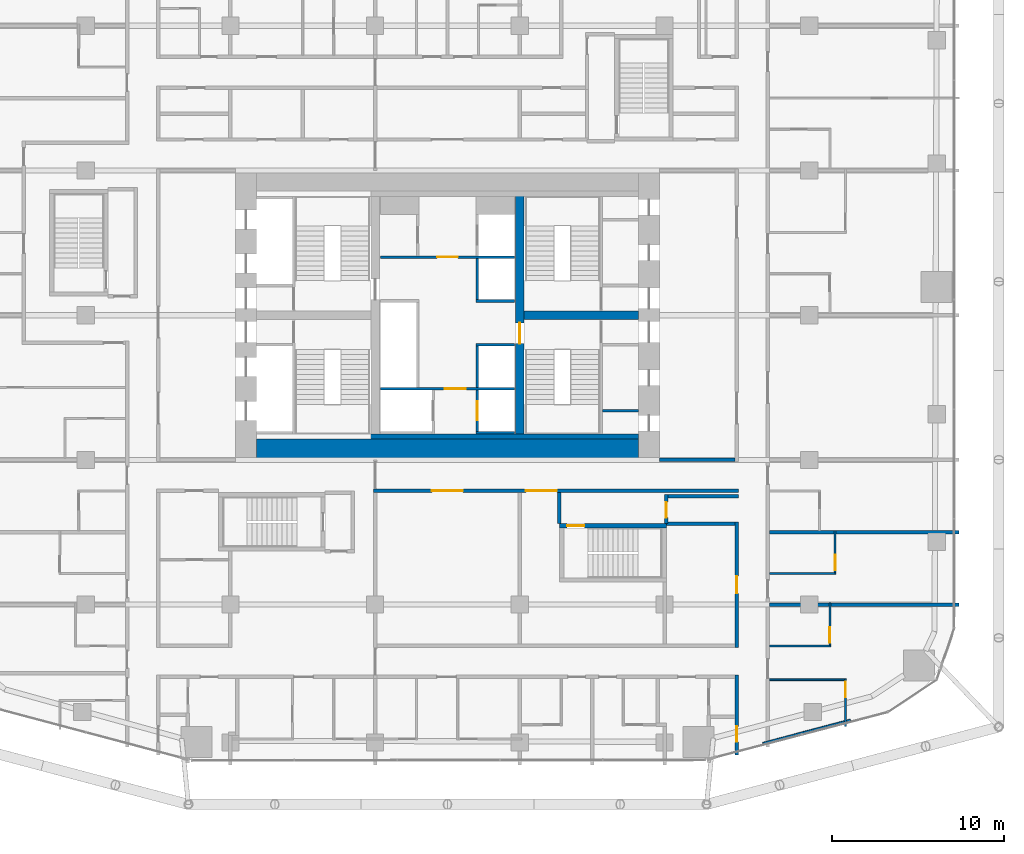
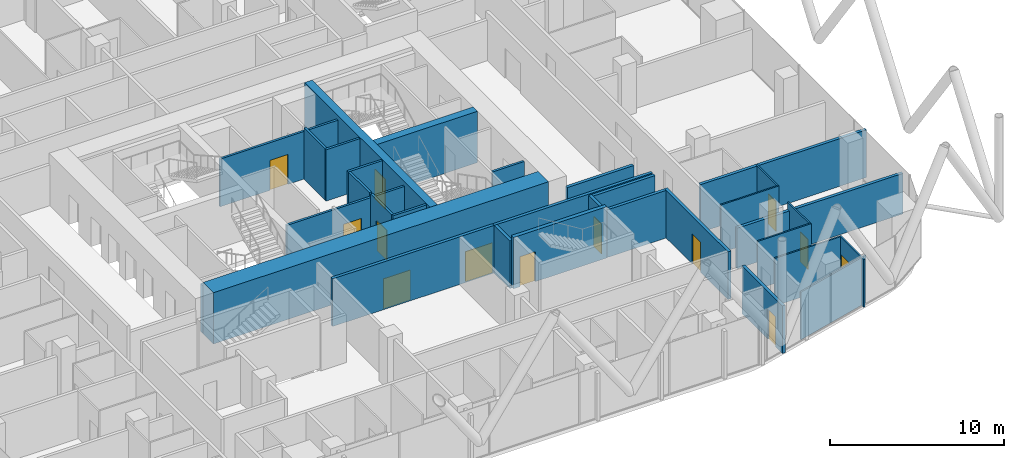
# One storey, part 27 of 34: 32 walls, 13 doors, 13 openings.
"""IFC4 building model written with IfcOpenShell, lengths in metres."""

from ifc_helpers import new_model, si_unit, direction, frame, frame_2d, origin, place, context, subcontext, project, spatial, rectangle, extrude, material, layer, layer_set, type_object, element, fill, save


model = new_model("IFC4")

# Units and contexts
model_context = context("Model", 3, precision=1e-05, world=origin(), true_north=direction((0.0, 1.0)))
body_context = subcontext(model_context, "Body", "Model", "MODEL_VIEW")
ifc_project = project(units=[si_unit("LENGTHUNIT", "METRE"), si_unit("AREAUNIT", "SQUARE_METRE"), si_unit("VOLUMEUNIT", "CUBIC_METRE"), si_unit("PLANEANGLEUNIT", "RADIAN"), si_unit("MASSUNIT", "GRAM", prefix="KILO")], contexts=[model_context])

# Site, building, storey
site_placement = place(None, origin())
site = spatial("IfcSite", under=ifc_project, at=site_placement, CompositionType="ELEMENT")
building_placement = place(site_placement, origin())
building = spatial("IfcBuilding", under=site, at=building_placement, Name="Marenta Gate Hotel Tower", CompositionType="ELEMENT")
storey_placement = place(building_placement, frame((0.0, 0.0, 76.10009765625)))
storey = spatial("IfcBuildingStorey", under=building, at=storey_placement, Name="L17", CompositionType="ELEMENT", Elevation=76.10009765625)

# Walls
ifc_material_1 = material(Name="Concrete blockwork", Category="masonry")
ifc_layer_1 = layer(ifc_material_1, 0.199951171875)
ifc_layer_set_1 = layer_set([ifc_layer_1], Name="Concrete blockwork")
wall_type_1 = type_object("IfcWallType", Name="Core boundary wall 200 REI 180", PredefinedType="PARTITIONING", material=ifc_layer_set_1)
wall_1_placement = place(storey_placement, frame((12.300048828125, 0.0, 0.0), z_axis=(0.0, 0.0, 1.0), x_axis=(1.0, 0.0, 0.0)))
element("IfcWall", 1, at=wall_1_placement, inside=storey, type_object=wall_type_1, Name="L17-CP-EW-ES", PredefinedType="PARTITIONING", context=body_context, shape_type="SweptSolid", body=[
    extrude(rectangle(XDim=4.39990234375, YDim=0.199951171875, at=frame_2d((2.199951171875, 0.0))), origin(), (0.0, 0.0, 1.0), 2.83984375),
])
ifc_material_2 = material(Name="Concrete C40", Category="concrete")
ifc_layer_2 = layer(ifc_material_2, 0.300048828125)
ifc_layer_set_2 = layer_set([ifc_layer_2], Name="Concrete C40")
wall_type_2 = type_object("IfcWallType", Name="Core lining wall 300 REI 180", PredefinedType="PARTITIONING", material=ifc_layer_set_2)
wall_2_placement = place(storey_placement, frame((-11.10009765625, 1.35009765625, 0.0), z_axis=(0.0, 0.0, 1.0), x_axis=(1.0, 0.0, 0.0)))
element("IfcWall", 2, at=wall_2_placement, inside=storey, type_object=wall_type_2, Name="L17-CP-LN-S", PredefinedType="PARTITIONING", context=body_context, shape_type="SweptSolid", body=[
    extrude(rectangle(XDim=22.2001953125, YDim=0.300048828125, at=frame_2d((11.10009765625, 0.0))), origin(), (0.0, 0.0, 1.0), 3.33984375),
])

# Wall, opening, door
ifc_material_3 = material(Name="Concrete blockwork", Category="masonry")
ifc_layer_3 = layer(ifc_material_3, 0.14990234375)
ifc_layer_set_3 = layer_set([ifc_layer_3], Name="Concrete blockwork")
wall_type_3 = type_object("IfcWallType", Name="Core lobby partition 150 REI 180", PredefinedType="PARTITIONING", material=ifc_layer_set_3)
wall_3_placement = place(storey_placement, frame((-3.89990234375, 4.125, 0.0), z_axis=(0.0, 0.0, 1.0), x_axis=(1.0, 0.0, 0.0)))
wall_3 = element("IfcWall", 3, at=wall_3_placement, inside=storey, type_object=wall_type_3, Name="L17-CP-CW-S", PredefinedType="PARTITIONING", context=body_context, shape_type="SweptSolid", body=[
    extrude(rectangle(XDim=7.7998046875, YDim=0.14990234375, at=frame_2d((3.89990234375, 0.0))), origin(), (0.0, 0.0, 1.0), 3.33984375),
])
opening_1_placement = place(wall_3_placement, frame((3.75, 0.0, 0.0)))
opening_1 = element("IfcOpeningElement", 4, at=opening_1_placement, cuts=wall_3, Name="Opening FD-FFS", PredefinedType="OPENING", context=body_context, shape_type="SweptSolid", body=[
    extrude(rectangle(XDim=1.199951171875, YDim=2.10009765625, at=frame_2d((0.60009765625, 1.050048828125))), frame((0.0, 0.074951171875, 0.0), z_axis=(0.0, -1.0, 0.0), x_axis=(1.0, 0.0, 0.0)), (0.0, 0.0, 1.0), 0.14990234375),
])
ifc_material_4 = material(Name="Steel", Category="steel")
door_type_1 = type_object("IfcDoorType", Name="Core lobby door 1200x2100 FD60", OperationType="SINGLE_SWING_LEFT", PredefinedType="DOOR", material=ifc_material_4)
door_1_placement = place(opening_1_placement, origin())
door_1 = element("IfcDoor", 5, at=door_1_placement, inside=storey, type_object=door_type_1, Name="FD-FFS", OperationType="SINGLE_SWING_LEFT", OverallHeight=2.10009765625, OverallWidth=1.199951171875, PredefinedType="DOOR", context=body_context, shape_type="SweptSolid", body=[
    extrude(rectangle(XDim=1.199951171875, YDim=2.10009765625, at=frame_2d((0.60009765625, 1.050048828125))), frame((0.0, 0.02490234375, 0.0), z_axis=(0.0, -1.0, 0.0), x_axis=(1.0, 0.0, 0.0)), (0.0, 0.0, 1.0), 0.050048828125),
])
fill(opening_1, door_1)

wall_4_placement = place(storey_placement, frame((-3.89990234375, 11.77490234375, 0.0), z_axis=(0.0, 0.0, 1.0), x_axis=(1.0, 0.0, 0.0)))
wall_4 = element("IfcWall", 6, at=wall_4_placement, inside=storey, type_object=wall_type_3, Name="L17-CP-CW-N", PredefinedType="PARTITIONING", context=body_context, shape_type="SweptSolid", body=[
    extrude(rectangle(XDim=7.7998046875, YDim=0.14990234375, at=frame_2d((3.89990234375, 0.0))), origin(), (0.0, 0.0, 1.0), 3.33984375),
])
opening_2_placement = place(wall_4_placement, frame((3.300048828125, 0.0, 0.0)))
opening_2 = element("IfcOpeningElement", 7, at=opening_2_placement, cuts=wall_4, Name="Opening FD-FFN", PredefinedType="OPENING", context=body_context, shape_type="SweptSolid", body=[
    extrude(rectangle(XDim=1.199951171875, YDim=2.10009765625, at=frame_2d((0.60009765625, 1.050048828125))), frame((0.0, 0.074951171875, 0.0), z_axis=(0.0, -1.0, 0.0), x_axis=(1.0, 0.0, 0.0)), (0.0, 0.0, 1.0), 0.14990234375),
])
door_2_placement = place(opening_2_placement, origin())
door_2 = element("IfcDoor", 8, at=door_2_placement, inside=storey, type_object=door_type_1, Name="FD-FFN", OperationType="SINGLE_SWING_LEFT", OverallHeight=2.10009765625, OverallWidth=1.199951171875, PredefinedType="DOOR", context=body_context, shape_type="SweptSolid", body=[
    extrude(rectangle(XDim=1.199951171875, YDim=2.10009765625, at=frame_2d((0.60009765625, 1.050048828125))), frame((0.0, 0.02490234375, 0.0), z_axis=(0.0, -1.0, 0.0), x_axis=(1.0, 0.0, 0.0)), (0.0, 0.0, 1.0), 0.050048828125),
])
fill(opening_2, door_2)

# Wall
ifc_material_5 = material(Name="Concrete blockwork", Category="masonry")
ifc_layer_4 = layer(ifc_material_5, 0.14990234375)
ifc_layer_set_4 = layer_set([ifc_layer_4], Name="Concrete blockwork")
wall_type_4 = type_object("IfcWallType", Name="Core room partition 150 REI 180", PredefinedType="PARTITIONING", material=ifc_layer_set_4)
wall_5_placement = place(storey_placement, frame((9.0, 2.85009765625, 0.0), z_axis=(0.0, 0.0, 1.0), x_axis=(1.0, 0.0, 0.0)))
element("IfcWall", 9, at=wall_5_placement, inside=storey, type_object=wall_type_4, Name="L17-CP-RW-ES-1", PredefinedType="PARTITIONING", context=body_context, shape_type="SweptSolid", body=[
    extrude(rectangle(XDim=2.10009765625, YDim=0.14990234375, at=frame_2d((1.050048828125, 0.0))), origin(), (0.0, 0.0, 1.0), 3.33984375),
])

# Wall, opening, door
ifc_material_6 = material(Name="Concrete C40", Category="concrete")
ifc_layer_5 = layer(ifc_material_6, 0.14990234375)
ifc_layer_set_5 = layer_set([ifc_layer_5], Name="Concrete C40")
wall_type_5 = type_object("IfcWallType", Name="Core shaft wall 150 REI 180", PredefinedType="SHEAR", material=ifc_layer_set_5)
wall_6_placement = place(storey_placement, frame((1.72509765625, 1.64990234375, 0.0), z_axis=(0.0, 0.0, 1.0), x_axis=(0.0, 1.0, 0.0)))
wall_6 = element("IfcWall", 10, at=wall_6_placement, inside=storey, type_object=wall_type_5, Name="L17-SHF-CE-S-ls", PredefinedType="SHEAR", context=body_context, shape_type="SweptSolid", body=[
    extrude(rectangle(XDim=2.400146484375, YDim=0.14990234375, at=frame_2d((1.2001953125, 0.0))), origin(), (0.0, 0.0, 1.0), 3.599853515625),
])
opening_3_placement = place(wall_6_placement, frame((0.64990234375, 0.0, 0.0)))
opening_3 = element("IfcOpeningElement", 11, at=opening_3_placement, cuts=wall_6, Name="Opening LD-SV1", PredefinedType="OPENING", context=body_context, shape_type="SweptSolid", body=[
    extrude(rectangle(XDim=1.10009765625, YDim=2.10009765625, at=frame_2d((0.550048828125, 1.050048828125))), frame((0.0, 0.074951171875, 0.0), z_axis=(0.0, -1.0, 0.0), x_axis=(1.0, 0.0, 0.0)), (0.0, 0.0, 1.0), 0.14990234375),
])
ifc_material_7 = material(Name="Steel", Category="steel")
door_type_2 = type_object("IfcDoorType", Name="Core lift landing door 1100x2100 E 60", OperationType="SLIDING_TO_LEFT", PredefinedType="DOOR", material=ifc_material_7)
door_3_placement = place(opening_3_placement, origin())
door_3 = element("IfcDoor", 12, at=door_3_placement, inside=storey, type_object=door_type_2, Name="LD-SV1", OperationType="SLIDING_TO_LEFT", OverallHeight=2.10009765625, OverallWidth=1.10009765625, PredefinedType="DOOR", context=body_context, shape_type="SweptSolid", body=[
    extrude(rectangle(XDim=1.10009765625, YDim=2.10009765625, at=frame_2d((0.550048828125, 1.050048828125))), frame((0.0, 0.02490234375, 0.0), z_axis=(0.0, -1.0, 0.0), x_axis=(1.0, 0.0, 0.0)), (0.0, 0.0, 1.0), 0.050048828125),
])
fill(opening_3, door_3)

# Walls
for number, where, z_axis, x_axis, name in (
    (13, (1.64990234375, 1.574951171875, 0.0), (0.0, 0.0, 1.0), (1.0, 0.0, 0.0), "L17-SHF-CE-S-bot"),
    (14, (1.64990234375, 6.675048828125, 0.0), (0.0, 0.0, 1.0), (1.0, 0.0, 0.0), "L17-SHF-CE-sep1"),
    (15, (1.64990234375, 9.22509765625, 0.0), (0.0, 0.0, 1.0), (1.0, 0.0, 0.0), "L17-SHF-CE-sep2"),
):
    element("IfcWall", number, at=place(storey_placement, frame(where, z_axis=z_axis, x_axis=x_axis)), inside=storey, type_object=wall_type_5, Name=name, PredefinedType="SHEAR", context=body_context, shape_type="SweptSolid", body=[
        extrude(rectangle(XDim=2.25, YDim=0.14990234375, at=frame_2d((1.125, 0.0))), origin(), (0.0, 0.0, 1.0), 3.599853515625),
    ])
wall_7_placement = place(storey_placement, frame((1.72509765625, 4.199951171875, 0.0), z_axis=(0.0, 0.0, 1.0), x_axis=(0.0, 1.0, 0.0)))
element("IfcWall", 16, at=wall_7_placement, inside=storey, type_object=wall_type_5, Name="L17-SHF-CE-front-1", PredefinedType="SHEAR", context=body_context, shape_type="SweptSolid", body=[
    extrude(rectangle(XDim=2.400146484375, YDim=0.14990234375, at=frame_2d((1.2001953125, 0.0))), origin(), (0.0, 0.0, 1.0), 3.599853515625),
])
wall_8_placement = place(storey_placement, frame((1.72509765625, 9.300048828125, 0.0), z_axis=(0.0, 0.0, 1.0), x_axis=(0.0, 1.0, 0.0)))
element("IfcWall", 17, at=wall_8_placement, inside=storey, type_object=wall_type_5, Name="L17-SHF-CE-front-2", PredefinedType="SHEAR", context=body_context, shape_type="SweptSolid", body=[
    extrude(rectangle(XDim=2.39990234375, YDim=0.14990234375, at=frame_2d((1.199951171875, 0.0))), origin(), (0.0, 0.0, 1.0), 3.599853515625),
])
ifc_material_8 = material(Name="Concrete C80", Category="concrete")
ifc_layer_6 = layer(ifc_material_8, 1.199951171875)
ifc_layer_set_6 = layer_set([ifc_layer_6], Name="Concrete C80")
wall_type_6 = type_object("IfcWallType", Name="Core wall 1200 C80", PredefinedType="SHEAR", material=ifc_layer_set_6)
wall_9_placement = place(storey_placement, frame((-11.10009765625, 0.60009765625, 0.0), z_axis=(0.0, 0.0, 1.0), x_axis=(1.0, 0.0, 0.0)))
element("IfcWall", 18, at=wall_9_placement, inside=storey, type_object=wall_type_6, Name="L17-CORE-S", PredefinedType="SHEAR", context=body_context, shape_type="SweptSolid", body=[
    extrude(rectangle(XDim=22.2001953125, YDim=1.199951171875, at=frame_2d((11.10009765625, 0.0))), origin(), (0.0, 0.0, 1.0), 3.599853515625),
])

# Wall, opening, door
ifc_material_9 = material(Name="Concrete C80", Category="concrete")
ifc_layer_7 = layer(ifc_material_9, 0.5)
ifc_layer_set_7 = layer_set([ifc_layer_7], Name="Concrete C80")
wall_type_7 = type_object("IfcWallType", Name="Core web 500 C80", PredefinedType="SHEAR", material=ifc_layer_set_7)
wall_10_placement = place(storey_placement, frame((4.199951171875, 1.199951171875, 0.0), z_axis=(0.0, 0.0, 1.0), x_axis=(0.0, 1.0, 0.0)))
wall_10 = element("IfcWall", 19, at=wall_10_placement, inside=storey, type_object=wall_type_7, Name="L17-CORE-W2", PredefinedType="SHEAR", context=body_context, shape_type="SweptSolid", body=[
    extrude(rectangle(XDim=14.400146484375, YDim=0.5, at=frame_2d((7.2001953125, 0.0))), origin(), (0.0, 0.0, 1.0), 3.599853515625),
])
opening_4_placement = place(wall_10_placement, frame((5.550048828125, 0.0, 0.0)))
opening_4 = element("IfcOpeningElement", 20, at=opening_4_placement, cuts=wall_10, Name="Opening WD-E", PredefinedType="OPENING", context=body_context, shape_type="SweptSolid", body=[
    extrude(rectangle(XDim=1.199951171875, YDim=2.10009765625, at=frame_2d((0.60009765625, 1.050048828125))), frame((0.0, 0.25, 0.0), z_axis=(0.0, -1.0, 0.0), x_axis=(1.0, 0.0, 0.0)), (0.0, 0.0, 1.0), 0.5),
])
ifc_material_10 = material(Name="Steel", Category="steel")
door_type_3 = type_object("IfcDoorType", Name="Core stair door 1200x2100 FD60", OperationType="SINGLE_SWING_LEFT", PredefinedType="DOOR", material=ifc_material_10)
door_4_placement = place(opening_4_placement, origin())
door_4 = element("IfcDoor", 21, at=door_4_placement, inside=storey, type_object=door_type_3, Name="WD-E", OperationType="SINGLE_SWING_LEFT", OverallHeight=2.10009765625, OverallWidth=1.199951171875, PredefinedType="DOOR", context=body_context, shape_type="SweptSolid", body=[
    extrude(rectangle(XDim=1.199951171875, YDim=2.10009765625, at=frame_2d((0.60009765625, 1.050048828125))), frame((0.0, 0.02490234375, 0.0), z_axis=(0.0, -1.0, 0.0), x_axis=(1.0, 0.0, 0.0)), (0.0, 0.0, 1.0), 0.050048828125),
])
fill(opening_4, door_4)

# Wall
wall_11_placement = place(storey_placement, frame((4.449951171875, 8.39990234375, 0.0), z_axis=(0.0, 0.0, 1.0), x_axis=(1.0, 0.0, 0.0)))
element("IfcWall", 22, at=wall_11_placement, inside=storey, type_object=wall_type_7, Name="L17-CORE-W4", PredefinedType="SHEAR", context=body_context, shape_type="SweptSolid", body=[
    extrude(rectangle(XDim=6.650146484375, YDim=0.5, at=frame_2d((3.3251953125, 0.0))), origin(), (0.0, 0.0, 1.0), 3.599853515625),
])

# Wall, opening, door
ifc_material_11 = material(Name="Concrete C40", Category="concrete")
ifc_layer_8 = layer(ifc_material_11, 0.25)
ifc_layer_set_8 = layer_set([ifc_layer_8], Name="Concrete C40")
wall_type_8 = type_object("IfcWallType", Name="Remote stair enclosure wall 250 REI 180", PredefinedType="SHEAR", material=ifc_layer_set_8)
wall_12_placement = place(storey_placement, frame((6.5, -3.824951171875, 0.099853515625), z_axis=(0.0, 0.0, 1.0), x_axis=(1.0, 0.0, 0.0)))
wall_12 = element("IfcWall", 23, at=wall_12_placement, inside=storey, type_object=wall_type_8, Name="L17-RS-Z1-1-W2", PredefinedType="SHEAR", context=body_context, shape_type="SweptSolid", body=[
    extrude(rectangle(XDim=6.199951171875, YDim=0.25, at=frame_2d((3.10009765625, 0.0))), origin(), (0.0, 0.0, 1.0), 3.60009765625),
])
opening_5_placement = place(wall_12_placement, frame((0.449951171875, 0.0, 0.0)))
opening_5 = element("IfcOpeningElement", 24, at=opening_5_placement, cuts=wall_12, Name="Opening VD", PredefinedType="OPENING", context=body_context, shape_type="SweptSolid", body=[
    extrude(rectangle(XDim=1.0, YDim=2.10009765625, at=frame_2d((0.5, 1.050048828125))), frame((0.0, 0.125, 0.0), z_axis=(0.0, -1.0, 0.0), x_axis=(1.0, 0.0, 0.0)), (0.0, 0.0, 1.0), 0.25),
])
ifc_material_12 = material(Name="Steel", Category="steel")
door_type_4 = type_object("IfcDoorType", Name="Stair vestibule door 1000x2100 FD60", OperationType="SINGLE_SWING_LEFT", PredefinedType="DOOR", material=ifc_material_12)
door_5_placement = place(opening_5_placement, origin())
door_5 = element("IfcDoor", 25, at=door_5_placement, inside=storey, type_object=door_type_4, Name="VD", OperationType="SINGLE_SWING_LEFT", OverallHeight=2.10009765625, OverallWidth=1.0, PredefinedType="DOOR", context=body_context, shape_type="SweptSolid", body=[
    extrude(rectangle(XDim=1.0, YDim=2.10009765625, at=frame_2d((0.5, 1.050048828125))), frame((0.0, 0.02490234375, 0.0), z_axis=(0.0, -1.0, 0.0), x_axis=(1.0, 0.0, 0.0)), (0.0, 0.0, 1.0), 0.050048828125),
])
fill(opening_5, door_5)

ifc_material_13 = material(Name="Concrete blockwork", Category="masonry")
ifc_layer_9 = layer(ifc_material_13, 0.199951171875)
ifc_layer_set_9 = layer_set([ifc_layer_9], Name="Concrete blockwork")
wall_type_9 = type_object("IfcWallType", Name="Room corridor wall 200 EI 120", PredefinedType="PARTITIONING", material=ifc_layer_set_9)
wall_13_placement = place(storey_placement, frame((16.800048828125, -17.14306640625, 0.0), z_axis=(0.0, 0.0, 1.0), x_axis=(0.0, 1.0, 0.0)))
wall_13 = element("IfcWall", 26, at=wall_13_placement, inside=storey, type_object=wall_type_9, Name="L17-PTN-W010", PredefinedType="PARTITIONING", context=body_context, shape_type="SweptSolid", body=[
    extrude(rectangle(XDim=4.64306640625, YDim=0.199951171875, at=frame_2d((2.321533203125, 0.0))), origin(), (0.0, 0.0, 1.0), 3.33984375),
])
opening_6_placement = place(wall_13_placement, frame((0.77197265625, 0.0, 0.0)))
opening_6 = element("IfcOpeningElement", 27, at=opening_6_placement, cuts=wall_13, Name="Opening G06-81", PredefinedType="OPENING", context=body_context, shape_type="SweptSolid", body=[
    extrude(rectangle(XDim=0.89990234375, YDim=2.10009765625, at=frame_2d((0.449951171875, 1.050048828125))), frame((0.0, 0.10009765625, 0.0), z_axis=(0.0, -1.0, 0.0), x_axis=(1.0, 0.0, 0.0)), (0.0, 0.0, 1.0), 0.199951171875),
])
ifc_material_14 = material(Name="Hollow steel door set", Category="steel")
door_type_5 = type_object("IfcDoorType", Name="Room service door 900x2100 EI 60", OperationType="NOTDEFINED", PredefinedType="DOOR", material=ifc_material_14)
door_6_placement = place(opening_6_placement, origin())
door_6 = element("IfcDoor", 28, at=door_6_placement, inside=storey, type_object=door_type_5, Name="L17-PD-D081", OperationType="SINGLE_SWING_RIGHT", OverallHeight=2.10009765625, OverallWidth=0.89990234375, PredefinedType="DOOR", context=body_context, shape_type="SweptSolid", body=[
    extrude(rectangle(XDim=0.89990234375, YDim=2.10009765625, at=frame_2d((0.449951171875, 1.050048828125))), frame((0.0, 0.02490234375, 0.0), z_axis=(0.0, -1.0, 0.0), x_axis=(1.0, 0.0, 0.0)), (0.0, 0.0, 1.0), 0.050048828125),
])
fill(opening_6, door_6)

ifc_material_15 = material(Name="Gypsum board on steel stud", Category="steel")
ifc_layer_10 = layer(ifc_material_15, 0.199951171875)
ifc_layer_set_10 = layer_set([ifc_layer_10], Name="Gypsum board on steel stud")
wall_type_10 = type_object("IfcWallType", Name="Room corridor wall 200 EI 60", PredefinedType="PARTITIONING", material=ifc_layer_set_10)
wall_14_placement = place(storey_placement, frame((16.800048828125, -10.89990234375, 0.0), z_axis=(0.0, 0.0, 1.0), x_axis=(0.0, 1.0, 0.0)))
wall_14 = element("IfcWall", 29, at=wall_14_placement, inside=storey, type_object=wall_type_10, Name="L17-PTN-W011", PredefinedType="PARTITIONING", context=body_context, shape_type="SweptSolid", body=[
    extrude(rectangle(XDim=7.2998046875, YDim=0.199951171875, at=frame_2d((3.64990234375, 0.0))), origin(), (0.0, 0.0, 1.0), 3.33984375),
])
opening_7_placement = place(wall_14_placement, frame((3.14990234375, 0.0, 0.0)))
opening_7 = element("IfcOpeningElement", 30, at=opening_7_placement, cuts=wall_14, Name="Opening G06-67", PredefinedType="OPENING", context=body_context, shape_type="SweptSolid", body=[
    extrude(rectangle(XDim=1.0, YDim=2.10009765625, at=frame_2d((0.5, 1.050048828125))), frame((0.0, 0.10009765625, 0.0), z_axis=(0.0, -1.0, 0.0), x_axis=(1.0, 0.0, 0.0)), (0.0, 0.0, 1.0), 0.199951171875),
])
ifc_material_16 = material(Name="Timber door leaf", Category="wood")
door_type_6 = type_object("IfcDoorType", Name="Room amenity door 1000x2100 EI 30", OperationType="NOTDEFINED", PredefinedType="DOOR", material=ifc_material_16)
door_7_placement = place(opening_7_placement, origin())
door_7 = element("IfcDoor", 31, at=door_7_placement, inside=storey, type_object=door_type_6, Name="L17-PD-D067", OperationType="SINGLE_SWING_LEFT", OverallHeight=2.10009765625, OverallWidth=1.0, PredefinedType="DOOR", context=body_context, shape_type="SweptSolid", body=[
    extrude(rectangle(XDim=1.0, YDim=2.10009765625, at=frame_2d((0.5, 1.050048828125))), frame((0.0, 0.02490234375, 0.0), z_axis=(0.0, -1.0, 0.0), x_axis=(1.0, 0.0, 0.0)), (0.0, 0.0, 1.0), 0.050048828125),
])
fill(opening_7, door_7)

# Wall
wall_15_placement = place(storey_placement, frame((12.699951171875, -3.699951171875, 0.0), z_axis=(0.0, 0.0, 1.0), x_axis=(1.0, 0.0, 0.0)))
element("IfcWall", 32, at=wall_15_placement, inside=storey, type_object=wall_type_10, Name="L17-PTN-W059", PredefinedType="PARTITIONING", context=body_context, shape_type="SweptSolid", body=[
    extrude(rectangle(XDim=4.0, YDim=0.199951171875, at=frame_2d((2.0, 0.0))), origin(), (0.0, 0.0, 1.0), 3.33984375),
])

# Wall, openings, doors
wall_16_placement = place(storey_placement, frame((-4.300048828125, -1.800048828125, 0.0), z_axis=(0.0, 0.0, 1.0), x_axis=(1.0, 0.0, 0.0)))
wall_16 = element("IfcWall", 33, at=wall_16_placement, inside=storey, type_object=wall_type_10, Name="L17-PTN-W066", PredefinedType="PARTITIONING", context=body_context, shape_type="SweptSolid", body=[
    extrude(rectangle(XDim=10.900146484375, YDim=0.199951171875, at=frame_2d((5.4501953125, 0.0))), origin(), (0.0, 0.0, 1.0), 3.33984375),
])
opening_8_placement = place(wall_16_placement, frame((3.39990234375, 0.0, 0.0)))
opening_8 = element("IfcOpeningElement", 34, at=opening_8_placement, cuts=wall_16, Name="Opening G06-04", PredefinedType="OPENING", context=body_context, shape_type="SweptSolid", body=[
    extrude(rectangle(XDim=1.800048828125, YDim=2.10009765625, at=frame_2d((0.89990234375, 1.050048828125))), frame((0.0, 0.10009765625, 0.0), z_axis=(0.0, -1.0, 0.0), x_axis=(1.0, 0.0, 0.0)), (0.0, 0.0, 1.0), 0.199951171875),
])
opening_9_placement = place(wall_16_placement, frame((8.85009765625, 0.0, 0.0)))
opening_9 = element("IfcOpeningElement", 35, at=opening_9_placement, cuts=wall_16, Name="Opening G06-05", PredefinedType="OPENING", context=body_context, shape_type="SweptSolid", body=[
    extrude(rectangle(XDim=1.800048828125, YDim=2.10009765625, at=frame_2d((0.89990234375, 1.050048828125))), frame((0.0, 0.10009765625, 0.0), z_axis=(0.0, -1.0, 0.0), x_axis=(1.0, 0.0, 0.0)), (0.0, 0.0, 1.0), 0.199951171875),
])
ifc_material_17 = material(Name="Timber door leaf", Category="wood")
door_type_7 = type_object("IfcDoorType", Name="Room amenity door 1800x2100 EI 30", OperationType="DOUBLE_DOOR_SINGLE_SWING", PredefinedType="DOOR", material=ifc_material_17)
door_8_placement = place(opening_8_placement, origin())
door_8 = element("IfcDoor", 36, at=door_8_placement, inside=storey, type_object=door_type_7, Name="L17-PD-D004", OperationType="DOUBLE_DOOR_SINGLE_SWING", OverallHeight=2.10009765625, OverallWidth=1.800048828125, PredefinedType="DOOR", context=body_context, shape_type="SweptSolid", body=[
    extrude(rectangle(XDim=1.800048828125, YDim=2.10009765625, at=frame_2d((0.89990234375, 1.050048828125))), frame((0.0, 0.02490234375, 0.0), z_axis=(0.0, -1.0, 0.0), x_axis=(1.0, 0.0, 0.0)), (0.0, 0.0, 1.0), 0.050048828125),
])
fill(opening_8, door_8)
door_9_placement = place(opening_9_placement, origin())
door_9 = element("IfcDoor", 37, at=door_9_placement, inside=storey, type_object=door_type_7, Name="L17-PD-D005", OperationType="DOUBLE_DOOR_SINGLE_SWING", OverallHeight=2.10009765625, OverallWidth=1.800048828125, PredefinedType="DOOR", context=body_context, shape_type="SweptSolid", body=[
    extrude(rectangle(XDim=1.800048828125, YDim=2.10009765625, at=frame_2d((0.89990234375, 1.050048828125))), frame((0.0, 0.02490234375, 0.0), z_axis=(0.0, -1.0, 0.0), x_axis=(1.0, 0.0, 0.0)), (0.0, 0.0, 1.0), 0.050048828125),
])
fill(opening_9, door_9)

# Wall, opening, door
ifc_material_18 = material(Name="Concrete blockwork", Category="masonry")
ifc_layer_11 = layer(ifc_material_18, 0.199951171875)
ifc_layer_set_11 = layer_set([ifc_layer_11], Name="Concrete blockwork")
wall_type_11 = type_object("IfcWallType", Name="Room corridor wall 200 REI 180", PredefinedType="PARTITIONING", material=ifc_layer_set_11)
wall_17_placement = place(storey_placement, frame((12.699951171875, -3.699951171875, 0.0), z_axis=(0.0, 0.0, 1.0), x_axis=(0.0, 1.0, 0.0)))
wall_17 = element("IfcWall", 38, at=wall_17_placement, inside=storey, type_object=wall_type_11, Name="L17-PTN-W029", PredefinedType="PARTITIONING", context=body_context, shape_type="SweptSolid", body=[
    extrude(rectangle(XDim=1.699951171875, YDim=0.199951171875, at=frame_2d((0.85009765625, 0.0))), origin(), (0.0, 0.0, 1.0), 3.33984375),
])
opening_10_placement = place(wall_17_placement, frame((0.35009765625, 0.0, 0.0)))
opening_10 = element("IfcOpeningElement", 39, at=opening_10_placement, cuts=wall_17, Name="Opening G06-61", PredefinedType="OPENING", context=body_context, shape_type="SweptSolid", body=[
    extrude(rectangle(XDim=0.89990234375, YDim=2.10009765625, at=frame_2d((0.449951171875, 1.050048828125))), frame((0.0, 0.10009765625, 0.0), z_axis=(0.0, -1.0, 0.0), x_axis=(1.0, 0.0, 0.0)), (0.0, 0.0, 1.0), 0.199951171875),
])
ifc_material_19 = material(Name="Hollow steel door set", Category="steel")
door_type_8 = type_object("IfcDoorType", Name="Stair vestibule door 900x2100 EI 60", OperationType="NOTDEFINED", PredefinedType="DOOR", material=ifc_material_19)
door_10_placement = place(opening_10_placement, origin())
door_10 = element("IfcDoor", 40, at=door_10_placement, inside=storey, type_object=door_type_8, Name="L17-PD-D061", OperationType="SINGLE_SWING_RIGHT", OverallHeight=2.10009765625, OverallWidth=0.89990234375, PredefinedType="DOOR", context=body_context, shape_type="SweptSolid", body=[
    extrude(rectangle(XDim=0.89990234375, YDim=2.10009765625, at=frame_2d((0.449951171875, 1.050048828125))), frame((0.0, 0.02490234375, 0.0), z_axis=(0.0, -1.0, 0.0), x_axis=(1.0, 0.0, 0.0)), (0.0, 0.0, 1.0), 0.050048828125),
])
fill(opening_10, door_10)

# Walls
wall_18_placement = place(storey_placement, frame((12.800048828125, -2.10009765625, 0.0), z_axis=(0.0, 0.0, 1.0), x_axis=(1.0, 0.0, 0.0)))
element("IfcWall", 41, at=wall_18_placement, inside=storey, type_object=wall_type_11, Name="L17-PTN-W060", PredefinedType="PARTITIONING", context=body_context, shape_type="SweptSolid", body=[
    extrude(rectangle(XDim=4.099853515625, YDim=0.199951171875, at=frame_2d((2.0498046875, 0.0))), origin(), (0.0, 0.0, 1.0), 3.33984375),
])
wall_19_placement = place(storey_placement, frame((6.39990234375, -1.800048828125, 0.0), z_axis=(0.0, 0.0, 1.0), x_axis=(1.0, 0.0, 0.0)))
element("IfcWall", 42, at=wall_19_placement, inside=storey, type_object=wall_type_11, Name="L17-PTN-W067", PredefinedType="PARTITIONING", context=body_context, shape_type="SweptSolid", body=[
    extrude(rectangle(XDim=10.5, YDim=0.199951171875, at=frame_2d((5.25, 0.0))), origin(), (0.0, 0.0, 1.0), 3.33984375),
])

# Wall, opening, door
ifc_material_20 = material(Name="Gypsum board on steel stud", Category="steel")
ifc_layer_12 = layer(ifc_material_20, 0.10009765625)
ifc_layer_set_12 = layer_set([ifc_layer_12], Name="Gypsum board on steel stud")
wall_type_12 = type_object("IfcWallType", Name="Room partition 100", PredefinedType="PARTITIONING", material=ifc_layer_set_12)
wall_20_placement = place(storey_placement, frame((23.10009765625, -15.470947265625, 0.0), z_axis=(0.0, 0.0, 1.0), x_axis=(0.0, 1.0, 0.0)))
wall_20 = element("IfcWall", 43, at=wall_20_placement, inside=storey, type_object=wall_type_12, Name="L17-PTN-W001", PredefinedType="PARTITIONING", context=body_context, shape_type="SweptSolid", body=[
    extrude(rectangle(XDim=2.755859375, YDim=0.10009765625, at=frame_2d((1.3779296875, 0.0))), origin(), (0.0, 0.0, 1.0), 3.33984375),
])
opening_11_placement = place(wall_20_placement, frame((1.7060546875, 0.0, 0.0)))
opening_11 = element("IfcOpeningElement", 44, at=opening_11_placement, cuts=wall_20, Name="Opening G06-07", PredefinedType="OPENING", context=body_context, shape_type="SweptSolid", body=[
    extrude(rectangle(XDim=0.89990234375, YDim=2.10009765625, at=frame_2d((0.449951171875, 1.050048828125))), frame((0.0, 0.050048828125, 0.0), z_axis=(0.0, -1.0, 0.0), x_axis=(1.0, 0.0, 0.0)), (0.0, 0.0, 1.0), 0.10009765625),
])
ifc_material_21 = material(Name="Timber door leaf", Category="wood")
door_type_9 = type_object("IfcDoorType", Name="Guest bathroom door 900x2100", OperationType="NOTDEFINED", PredefinedType="DOOR", material=ifc_material_21)
door_11_placement = place(opening_11_placement, origin())
door_11 = element("IfcDoor", 45, at=door_11_placement, inside=storey, type_object=door_type_9, Name="L17-PD-D007", OperationType="SINGLE_SWING_RIGHT", OverallHeight=2.10009765625, OverallWidth=0.89990234375, PredefinedType="DOOR", context=body_context, shape_type="SweptSolid", body=[
    extrude(rectangle(XDim=0.89990234375, YDim=2.10009765625, at=frame_2d((0.449951171875, 1.050048828125))), frame((0.0, 0.02490234375, 0.0), z_axis=(0.0, -1.0, 0.0), x_axis=(1.0, 0.0, 0.0)), (0.0, 0.0, 1.0), 0.050048828125),
])
fill(opening_11, door_11)

wall_21_placement = place(storey_placement, frame((22.5, -6.550048828125, 0.0), z_axis=(0.0, 0.0, 1.0), x_axis=(0.0, 1.0, 0.0)))
wall_21 = element("IfcWall", 46, at=wall_21_placement, inside=storey, type_object=wall_type_12, Name="L17-PTN-W003", PredefinedType="PARTITIONING", context=body_context, shape_type="SweptSolid", body=[
    extrude(rectangle(XDim=2.449951171875, YDim=0.10009765625, at=frame_2d((1.22509765625, 0.0))), origin(), (0.0, 0.0, 1.0), 3.33984375),
])
opening_12_placement = place(wall_21_placement, frame((0.14990234375, 0.0, 0.0)))
opening_12 = element("IfcOpeningElement", 47, at=opening_12_placement, cuts=wall_21, Name="Opening G06-10", PredefinedType="OPENING", context=body_context, shape_type="SweptSolid", body=[
    extrude(rectangle(XDim=0.89990234375, YDim=2.10009765625, at=frame_2d((0.449951171875, 1.050048828125))), frame((0.0, 0.050048828125, 0.0), z_axis=(0.0, -1.0, 0.0), x_axis=(1.0, 0.0, 0.0)), (0.0, 0.0, 1.0), 0.10009765625),
])
door_12_placement = place(opening_12_placement, origin())
door_12 = element("IfcDoor", 48, at=door_12_placement, inside=storey, type_object=door_type_9, Name="L17-PD-D010", OperationType="SINGLE_SWING_LEFT", OverallHeight=2.10009765625, OverallWidth=0.89990234375, PredefinedType="DOOR", context=body_context, shape_type="SweptSolid", body=[
    extrude(rectangle(XDim=0.89990234375, YDim=2.10009765625, at=frame_2d((0.449951171875, 1.050048828125))), frame((0.0, 0.02490234375, 0.0), z_axis=(0.0, -1.0, 0.0), x_axis=(1.0, 0.0, 0.0)), (0.0, 0.0, 1.0), 0.050048828125),
])
fill(opening_12, door_12)

wall_22_placement = place(storey_placement, frame((22.199951171875, -10.75, 0.0), z_axis=(0.0, 0.0, 1.0), x_axis=(0.0, 1.0, 0.0)))
wall_22 = element("IfcWall", 49, at=wall_22_placement, inside=storey, type_object=wall_type_12, Name="L17-PTN-W004", PredefinedType="PARTITIONING", context=body_context, shape_type="SweptSolid", body=[
    extrude(rectangle(XDim=2.449951171875, YDim=0.10009765625, at=frame_2d((1.22509765625, 0.0))), origin(), (0.0, 0.0, 1.0), 3.33984375),
])
opening_13_placement = place(wall_22_placement, frame((0.14990234375, 0.0, 0.0)))
opening_13 = element("IfcOpeningElement", 50, at=opening_13_placement, cuts=wall_22, Name="Opening G06-08", PredefinedType="OPENING", context=body_context, shape_type="SweptSolid", body=[
    extrude(rectangle(XDim=0.89990234375, YDim=2.10009765625, at=frame_2d((0.449951171875, 1.050048828125))), frame((0.0, 0.050048828125, 0.0), z_axis=(0.0, -1.0, 0.0), x_axis=(1.0, 0.0, 0.0)), (0.0, 0.0, 1.0), 0.10009765625),
])
ifc_material_22 = material(Name="Timber door leaf", Category="wood")
door_type_10 = type_object("IfcDoorType", Name="Room inner door 900x2100", OperationType="NOTDEFINED", PredefinedType="DOOR", material=ifc_material_22)
door_13_placement = place(opening_13_placement, origin())
door_13 = element("IfcDoor", 51, at=door_13_placement, inside=storey, type_object=door_type_10, Name="L17-PD-D008", OperationType="SINGLE_SWING_LEFT", OverallHeight=2.10009765625, OverallWidth=0.89990234375, PredefinedType="DOOR", context=body_context, shape_type="SweptSolid", body=[
    extrude(rectangle(XDim=0.89990234375, YDim=2.10009765625, at=frame_2d((0.449951171875, 1.050048828125))), frame((0.0, 0.02490234375, 0.0), z_axis=(0.0, -1.0, 0.0), x_axis=(1.0, 0.0, 0.0)), (0.0, 0.0, 1.0), 0.050048828125),
])
fill(opening_13, door_13)

# Walls
wall_23_placement = place(storey_placement, frame((18.31005859375, -16.44189453125, 0.0), z_axis=(0.0, 0.0, 1.0), x_axis=(0.966552628131, 0.256468354876, 0.0)))
element("IfcWall", 52, at=wall_23_placement, inside=storey, type_object=wall_type_12, Name="L17-PTN-W008", PredefinedType="PARTITIONING", context=body_context, shape_type="SweptSolid", body=[
    extrude(rectangle(XDim=5.255615234375, YDim=0.10009765625, at=frame_2d((2.6279296875, 0.0))), origin(), (0.0, 0.0, 1.0), 3.33984375),
])
wall_24_placement = place(storey_placement, frame((18.699951171875, -12.764892578125, 0.0), z_axis=(0.0, 0.0, 1.0), x_axis=(1.0, 0.0, 0.0)))
element("IfcWall", 53, at=wall_24_placement, inside=storey, type_object=wall_type_12, Name="L17-PTN-W028", PredefinedType="PARTITIONING", context=body_context, shape_type="SweptSolid", body=[
    extrude(rectangle(XDim=4.35009765625, YDim=0.10009765625, at=frame_2d((2.175048828125, 0.0))), origin(), (0.0, 0.0, 1.0), 3.33984375),
])
wall_25_placement = place(storey_placement, frame((18.699951171875, -10.800048828125, 0.0), z_axis=(0.0, 0.0, 1.0), x_axis=(1.0, 0.0, 0.0)))
element("IfcWall", 54, at=wall_25_placement, inside=storey, type_object=wall_type_12, Name="L17-PTN-W037", PredefinedType="PARTITIONING", context=body_context, shape_type="SweptSolid", body=[
    extrude(rectangle(XDim=3.550048828125, YDim=0.10009765625, at=frame_2d((1.77490234375, 0.0))), origin(), (0.0, 0.0, 1.0), 3.33984375),
])
wall_26_placement = place(storey_placement, frame((18.699951171875, -6.60009765625, 0.0), z_axis=(0.0, 0.0, 1.0), x_axis=(1.0, 0.0, 0.0)))
element("IfcWall", 55, at=wall_26_placement, inside=storey, type_object=wall_type_12, Name="L17-PTN-W049", PredefinedType="PARTITIONING", context=body_context, shape_type="SweptSolid", body=[
    extrude(rectangle(XDim=3.85009765625, YDim=0.10009765625, at=frame_2d((1.925048828125, 0.0))), origin(), (0.0, 0.0, 1.0), 3.33984375),
])
ifc_material_23 = material(Name="Gypsum board on steel stud", Category="steel")
ifc_layer_13 = layer(ifc_material_23, 0.199951171875)
ifc_layer_set_13 = layer_set([ifc_layer_13], Name="Gypsum board on steel stud")
wall_type_13 = type_object("IfcWallType", Name="Room party wall 200 EI 60", PredefinedType="PARTITIONING", material=ifc_layer_set_13)
wall_27_placement = place(storey_placement, frame((18.699951171875, -8.39990234375, 0.0), z_axis=(0.0, 0.0, 1.0), x_axis=(1.0, 0.0, 0.0)))
element("IfcWall", 56, at=wall_27_placement, inside=storey, type_object=wall_type_13, Name="L17-PTN-W043", PredefinedType="PARTITIONING", context=body_context, shape_type="SweptSolid", body=[
    extrude(rectangle(XDim=11.0, YDim=0.199951171875, at=frame_2d((5.5, 0.0))), origin(), (0.0, 0.0, 1.0), 2.83984375),
])
wall_28_placement = place(storey_placement, frame((18.699951171875, -4.199951171875, 0.0), z_axis=(0.0, 0.0, 1.0), x_axis=(1.0, 0.0, 0.0)))
element("IfcWall", 57, at=wall_28_placement, inside=storey, type_object=wall_type_13, Name="L17-PTN-W058", PredefinedType="PARTITIONING", context=body_context, shape_type="SweptSolid", body=[
    extrude(rectangle(XDim=11.0, YDim=0.199951171875, at=frame_2d((5.5, 0.0))), origin(), (0.0, 0.0, 1.0), 3.33984375),
])
ifc_material_24 = material(Name="Concrete blockwork", Category="masonry")
ifc_layer_14 = layer(ifc_material_24, 0.199951171875)
ifc_layer_set_14 = layer_set([ifc_layer_14], Name="Concrete blockwork")
wall_type_14 = type_object("IfcWallType", Name="Room party wall 200 REI 180", PredefinedType="PARTITIONING", material=ifc_layer_set_14)
wall_29_placement = place(storey_placement, frame((6.5, -3.699951171875, 0.0), z_axis=(0.0, 0.0, 1.0), x_axis=(0.0, 1.0, 0.0)))
element("IfcWall", 58, at=wall_29_placement, inside=storey, type_object=wall_type_14, Name="L17-PTN-W050", PredefinedType="PARTITIONING", context=body_context, shape_type="SweptSolid", body=[
    extrude(rectangle(XDim=1.800048828125, YDim=0.199951171875, at=frame_2d((0.89990234375, 0.0))), origin(), (0.0, 0.0, 1.0), 3.33984375),
])

save(model, "model.ifc")
